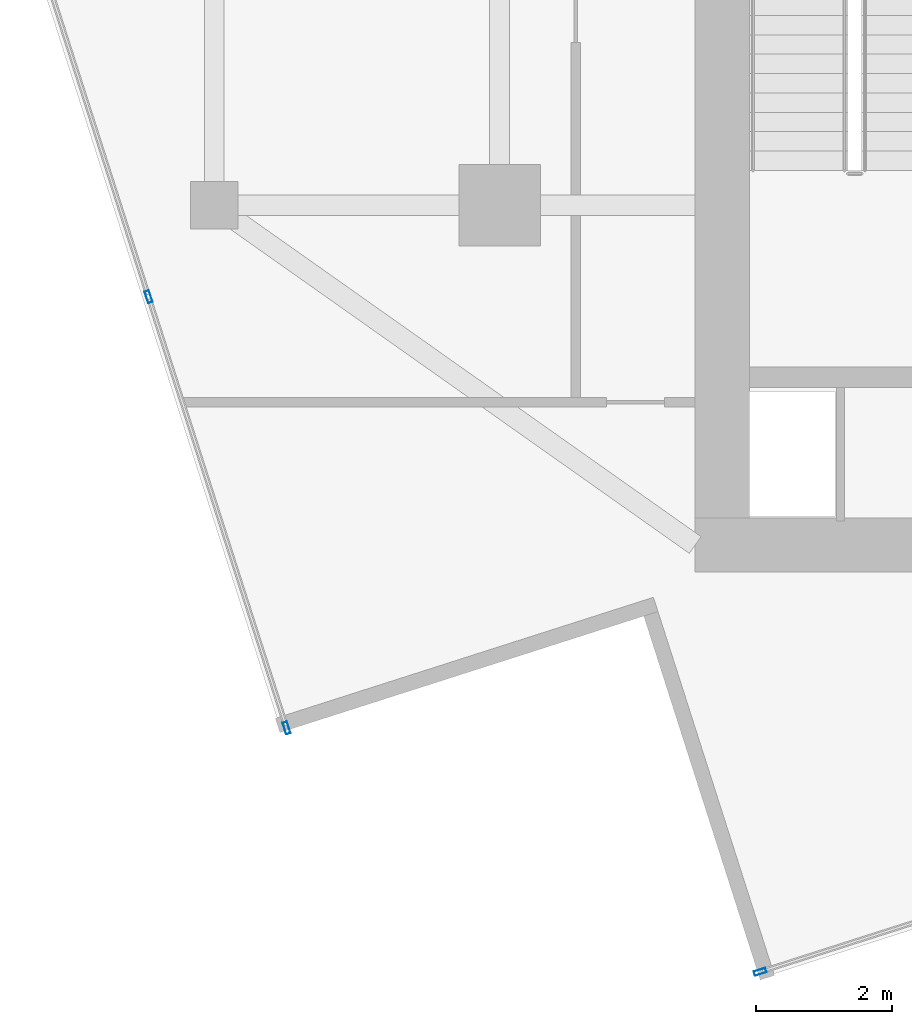
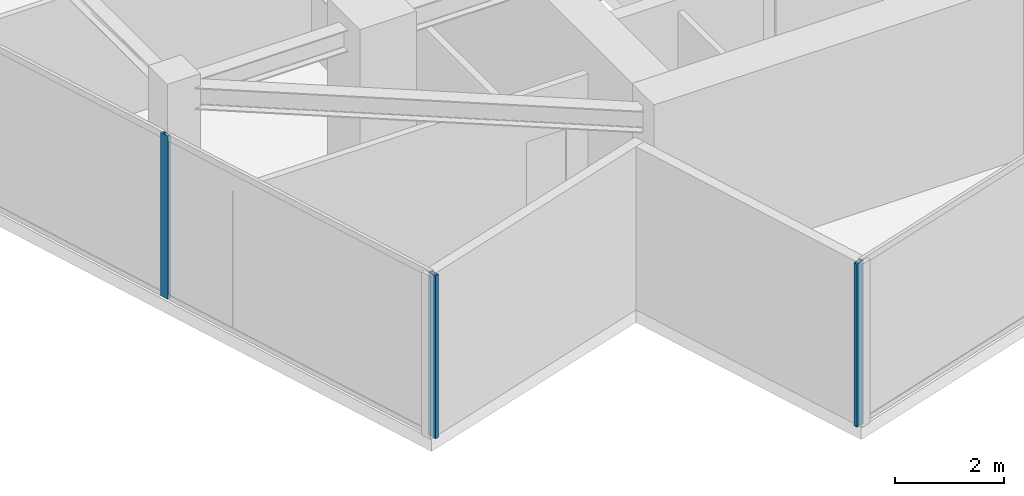
# One storey, part 2 of 21: 3 members, 2 elements without a shape of their own.
"""IFC4 building model written with IfcOpenShell, lengths in metres."""

from ifc_helpers import new_model, si_unit, direction, frame, origin, origin_2d, place, context, subcontext, project, spatial, hollow_rectangle, extrude, source, transform, mapped, material, material_profile, profile_set, type_object, type_shapes, element, aggregate, save


model = new_model("IFC4")

# Units and contexts
model_context = context("Model", 3, precision=1e-05, world=origin(), true_north=direction((0.0, 1.0)))
body_context = subcontext(model_context, "Body", "Model", "MODEL_VIEW")
ifc_project = project(units=[si_unit("LENGTHUNIT", "METRE"), si_unit("AREAUNIT", "SQUARE_METRE"), si_unit("VOLUMEUNIT", "CUBIC_METRE"), si_unit("PLANEANGLEUNIT", "RADIAN"), si_unit("MASSUNIT", "GRAM", prefix="KILO")], contexts=[model_context])

# Site, building, storey
site_placement = place(None, origin())
site = spatial("IfcSite", under=ifc_project, at=site_placement, CompositionType="ELEMENT")
building_placement = place(site_placement, origin())
building = spatial("IfcBuilding", under=site, at=building_placement, Name="Krantzveldt Concourse Tower", CompositionType="ELEMENT")
storey_placement = place(building_placement, frame((0.0, 0.0, 339.550048828125)))
storey = spatial("IfcBuildingStorey", under=building, at=storey_placement, Name="L83", CompositionType="ELEMENT", Elevation=339.550048828125)

# Curtain wall, members
ifc_material = material(Name="Anodised aluminium 6063-T6", Category="aluminium")
curtain_wall_type = type_object("IfcCurtainWallType", Name="CW4", PredefinedType="USERDEFINED", material=ifc_material)
curtain_wall_1_placement = place(storey_placement, origin())
curtain_wall_1 = element("IfcCurtainWall", 1, at=curtain_wall_1_placement, inside=storey, type_object=curtain_wall_type, Name="CW-L83-F04", ObjectType="UNITISED CURTAIN WALL", PredefinedType="USERDEFINED")
ifc_material_profile = material_profile(ifc_material, hollow_rectangle(XDim=0.070068359375, YDim=0.179931640625, WallThickness=0.0048828125, at=origin_2d()), Name="Anodised aluminium 6063-T6", Category="aluminium")
ifc_profile_set = profile_set([ifc_material_profile], Name="Anodised aluminium 6063-T6 - ALU-MULL 180x70x5")
member_type = type_object("IfcMemberType", Name="CW-MUL-180", PredefinedType="MULLION", material=ifc_profile_set)
shared_shape = source(origin(), body_context, "Body", "SweptSolid", [
    extrude(hollow_rectangle(XDim=0.070068359375, YDim=0.179931640625, WallThickness=0.0048828125, at=origin_2d()), origin(), (0.0, 0.0, 1.0), 3.669921875),
])
type_shapes(member_type, [shared_shape])
member_1_placement = place(storey_placement, frame((20.03271484375, 14.553955078125, 0.0), z_axis=(0.0, 0.0, 1.0), x_axis=(0.952395843376, 0.304864162408, 0.0)))
member_1 = element("IfcMember", 2, at=member_1_placement, type_object=member_type, Name="CW-Z56 mullion 4", PredefinedType="MULLION", context=body_context, shape_type="MappedRepresentation", body=[
    mapped(shared_shape, transform((0.0, 0.0, 0.0), x_axis=(1.0, 0.0, 0.0), y_axis=(0.0, 1.0, 0.0), z_axis=(0.0, 0.0, 1.0), scale=1.0)),
])
member_2_placement = place(storey_placement, frame((22.064697265625, 8.206298828125, 0.0), z_axis=(0.0, 0.0, 1.0), x_axis=(0.952395843376, 0.304864162408, 0.0)))
member_2 = element("IfcMember", 3, at=member_2_placement, type_object=member_type, Name="CW-Z56 mullion 5", PredefinedType="MULLION", context=body_context, shape_type="MappedRepresentation", body=[
    mapped(shared_shape, transform((0.0, 0.0, 0.0), x_axis=(1.0, 0.0, 0.0), y_axis=(0.0, 1.0, 0.0), z_axis=(0.0, 0.0, 1.0), scale=1.0)),
])
aggregate(curtain_wall_1, [member_1, member_2])

# Curtain wall, member
curtain_wall_2_placement = place(storey_placement, origin())
curtain_wall_2 = element("IfcCurtainWall", 4, at=curtain_wall_2_placement, inside=storey, type_object=curtain_wall_type, Name="CW-L83-F07", ObjectType="UNITISED CURTAIN WALL", PredefinedType="USERDEFINED")
member_3_placement = place(storey_placement, frame((29.0361328125, 4.61572265625, 0.0), z_axis=(0.0, 0.0, 1.0), x_axis=(-0.304864162408, 0.952395843376, 0.0)))
member_3 = element("IfcMember", 5, at=member_3_placement, type_object=member_type, Name="CW-Z56 mullion 1", PredefinedType="MULLION", context=body_context, shape_type="MappedRepresentation", body=[
    mapped(shared_shape, transform((0.0, 0.0, 0.0), x_axis=(1.0, 0.0, 0.0), y_axis=(0.0, 1.0, 0.0), z_axis=(0.0, 0.0, 1.0), scale=1.0)),
])
aggregate(curtain_wall_2, [member_3])

save(model, "model.ifc")
